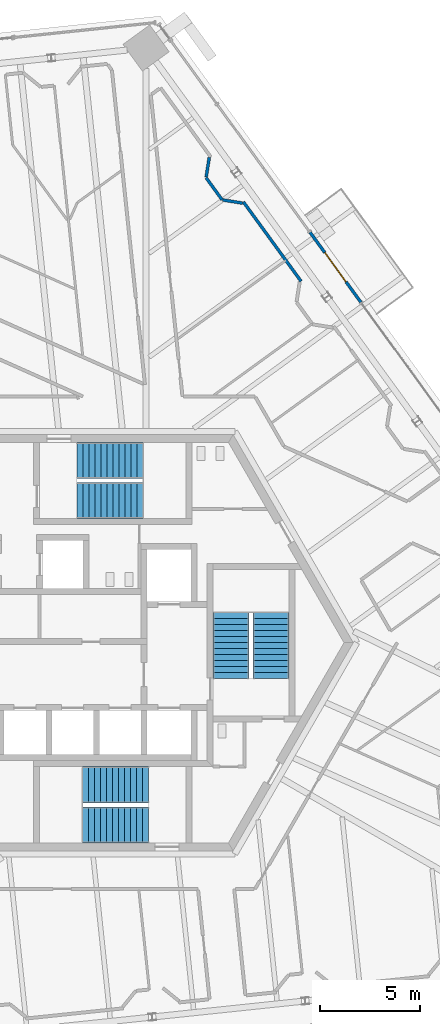
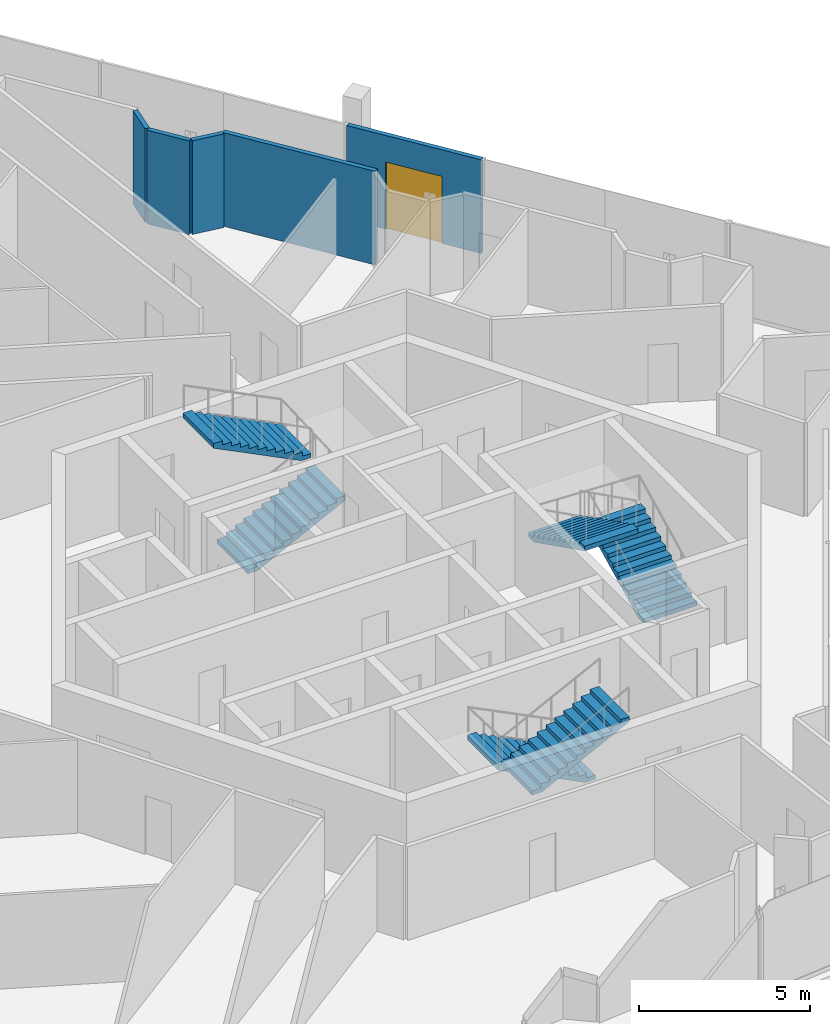
# One storey, part 21 of 26: 6 stair flights, 5 walls, 1 door, 1 opening, 3 elements without a shape of their own.
"""IFC4 building model written with IfcOpenShell, lengths in metres."""

from ifc_helpers import new_model, si_unit, direction, frame, frame_2d, origin, place, context, subcontext, project, spatial, polyline, rectangle, outline, extrude, source, transform, mapped, material, layer, layer_set, type_object, element, fill, aggregate, save


model = new_model("IFC4")

# Units and contexts
model_context = context("Model", 3, precision=1e-05, world=origin(), true_north=direction((0.0, 1.0)))
body_context = subcontext(model_context, "Body", "Model", "MODEL_VIEW")
ifc_project = project(units=[si_unit("LENGTHUNIT", "METRE"), si_unit("AREAUNIT", "SQUARE_METRE"), si_unit("VOLUMEUNIT", "CUBIC_METRE"), si_unit("PLANEANGLEUNIT", "RADIAN"), si_unit("MASSUNIT", "GRAM", prefix="KILO")], contexts=[model_context])

# Site, building, storey
site_placement = place(None, origin())
site = spatial("IfcSite", under=ifc_project, at=site_placement, CompositionType="ELEMENT")
building_placement = place(site_placement, origin())
building = spatial("IfcBuilding", under=site, at=building_placement, Name="Triune Harvest Tower", CompositionType="ELEMENT")
storey_placement = place(building_placement, frame((0.0, 0.0, 252.10009765625)))
storey = spatial("IfcBuildingStorey", under=building, at=storey_placement, Name="L66", CompositionType="ELEMENT", Elevation=252.10009765625)

# Wall
ifc_material_1 = material(Name="Gypsum board on steel studs", Category="steel")
ifc_layer_1 = layer(ifc_material_1, 0.14990234375)
ifc_layer_set_1 = layer_set([ifc_layer_1], Name="Gypsum board on steel studs")
wall_type_1 = type_object("IfcWallType", Name="Fire Partition 150 mm", PredefinedType="PARTITIONING", material=ifc_layer_set_1)
wall_1_placement = place(storey_placement, frame((6.51611328125, 22.001220703125, 0.0), z_axis=(0.0, 0.0, 1.0), x_axis=(0.587771620756, -0.80902689809, 0.0)))
element("IfcWall", 1, at=wall_1_placement, inside=storey, type_object=wall_type_1, Name="Partition L66 036", PredefinedType="PARTITIONING", context=body_context, shape_type="SweptSolid", body=[
    extrude(rectangle(XDim=4.899169921875, YDim=0.14990234375, at=frame_2d((2.44970703125, 0.0))), origin(), (0.0, 0.0, 1.0), 3.349853515625),
])

# Wall, opening, door
ifc_material_2 = material(Name="Aluminium bronze anodised", Category="aluminium")
ifc_layer_2 = layer(ifc_material_2, 0.14990234375)
ifc_layer_set_2 = layer_set([ifc_layer_2], Name="Aluminium bronze anodised")
wall_type_2 = type_object("IfcWallType", Name="WW-2 balcony window wall", PredefinedType="ELEMENTEDWALL", material=ifc_layer_set_2)
shared_shape_1 = source(origin(), body_context, "Body", "SweptSolid", [
    extrude(rectangle(XDim=4.31640625, YDim=0.14990234375, at=frame_2d((2.158203125, 0.0))), origin(), (0.0, 0.0, 1.0), 3.349853515625),
])
wall_2_placement = place(storey_placement, frame((9.84033203125, 20.48779296875, 0.0), z_axis=(0.0, 0.0, 1.0), x_axis=(0.587794959831, -0.809009941346, 0.0)))
wall_2 = element("IfcWall", 2, at=wall_2_placement, inside=storey, type_object=wall_type_2, Name="WW-2 B6-F1 L66.8", PredefinedType="ELEMENTEDWALL", context=body_context, shape_type="MappedRepresentation", body=[
    mapped(shared_shape_1, transform((0.0, 0.0, 0.0), scale=1.0)),
])
opening_placement = place(wall_2_placement, frame((1.25830078125, 0.0, 0.0)))
opening = element("IfcOpeningElement", 3, at=opening_placement, cuts=wall_2, Name="Opening L66-E01", PredefinedType="OPENING", context=body_context, shape_type="SweptSolid", body=[
    extrude(rectangle(XDim=1.800048828125, YDim=2.39990234375, at=frame_2d((0.89990234375, 1.199951171875))), frame((0.0, 0.0849609375, 0.0), z_axis=(0.0, -1.0, 0.0), x_axis=(1.0, 0.0, 0.0)), (0.0, 0.0, 1.0), 0.169921875),
])
ifc_material_3 = material(Name="Glass", Category="glass")
door_type = type_object("IfcDoorType", Name="DB-1 balcony door 1800 x 2400", OperationType="DOUBLE_DOOR_SINGLE_SWING", PredefinedType="DOOR", material=ifc_material_3)
door_placement = place(opening_placement, origin())
door = element("IfcDoor", 4, at=door_placement, inside=storey, type_object=door_type, Name="Door L66-E01", OperationType="DOUBLE_DOOR_SINGLE_SWING", OverallHeight=2.39990234375, OverallWidth=1.800048828125, PredefinedType="DOOR", context=body_context, shape_type="SweptSolid", body=[
    extrude(rectangle(XDim=1.800048828125, YDim=2.39990234375, at=frame_2d((0.89990234375, 1.199951171875))), frame((0.0, 0.02490234375, 0.0), z_axis=(0.0, -1.0, 0.0), x_axis=(1.0, 0.0, 0.0)), (0.0, 0.0, 1.0), 0.050048828125),
])
fill(opening, door)

# Walls
shared_shape_2 = source(origin(), body_context, "Body", "SweptSolid", [
    extrude(rectangle(XDim=0.9990234375, YDim=0.14990234375, at=frame_2d((0.49951171875, 0.0))), origin(), (0.0, 0.0, 1.0), 3.349853515625),
])
wall_3_placement = place(storey_placement, frame((4.656494140625, 23.238525390625, 0.0), z_axis=(0.0, 0.0, 1.0), x_axis=(0.156389194989, 0.987695509603, 0.0)))
element("IfcWall", 5, at=wall_3_placement, inside=storey, type_object=wall_type_1, Name="Partition L66 143", PredefinedType="PARTITIONING", context=body_context, shape_type="MappedRepresentation", body=[
    mapped(shared_shape_2, transform((0.0, 0.0, 0.0), scale=1.0)),
])
shared_shape_3 = source(origin(), body_context, "Body", "SweptSolid", [
    extrude(rectangle(XDim=0.998779296875, YDim=0.14990234375, at=frame_2d((0.49951171875, 0.0))), origin(), (0.0, 0.0, 1.0), 3.349853515625),
])
wall_4_placement = place(storey_placement, frame((5.484619140625, 22.0986328125, 0.0), z_axis=(0.0, 0.0, 1.0), x_axis=(0.987689531031, -0.15642694874, 0.0)))
element("IfcWall", 6, at=wall_4_placement, inside=storey, type_object=wall_type_1, Name="Partition L66 065", PredefinedType="PARTITIONING", context=body_context, shape_type="MappedRepresentation", body=[
    mapped(shared_shape_3, transform((0.0, 0.0, 0.0), scale=1.0)),
])
shared_shape_4 = source(origin(), body_context, "Body", "SweptSolid", [
    extrude(rectangle(XDim=1.36669921875, YDim=0.14990234375, at=frame_2d((0.683349609375, 0.0))), origin(), (0.0, 0.0, 1.0), 3.349853515625),
])
wall_5_placement = place(storey_placement, frame((4.652099609375, 23.20947265625, 0.0), z_axis=(0.0, 0.0, 1.0), x_axis=(0.587725491082, -0.809060410064, 0.0)))
element("IfcWall", 7, at=wall_5_placement, inside=storey, type_object=wall_type_1, Name="Partition L66 031", PredefinedType="PARTITIONING", context=body_context, shape_type="MappedRepresentation", body=[
    mapped(shared_shape_4, transform((0.0, 0.0, 0.0), scale=1.0)),
])

# Stair, stair flights
ifc_material_4 = material(Name="Concrete 40 MPa", Category="concrete")
stair_type = type_object("IfcStairType", Name="Exit stair 1800 half turn", PredefinedType="HALF_TURN_STAIR", material=ifc_material_4)
stair_1_placement = place(storey_placement, origin())
stair_1 = element("IfcStair", 8, at=stair_1_placement, inside=storey, type_object=stair_type, Name="Exit stair north", PredefinedType="HALF_TURN_STAIR")
ifc_material_5 = material(Name="Concrete 40 MPa", Category="concrete")
stair_flight_type = type_object("IfcStairFlightType", Name="Stair flight 1800", PredefinedType="STRAIGHT", material=ifc_material_5)
shared_shape_5 = source(origin(), body_context, "Body", "SweptSolid", [
    extrude(outline(polyline([(0.0, 0.0), (0.0, 0.14990234375), (0.300048828125, 0.14990234375), (0.300048828125, 0.300048828125), (0.60009765625, 0.300048828125), (0.60009765625, 0.449951171875), (0.89990234375, 0.449951171875), (0.89990234375, 0.60009765625), (1.199951171875, 0.60009765625), (1.199951171875, 0.75), (1.5, 0.75), (1.5, 0.89990234375), (1.800048828125, 0.89990234375), (1.800048828125, 1.050048828125), (2.10009765625, 1.050048828125), (2.10009765625, 1.199951171875), (2.39990234375, 1.199951171875), (2.39990234375, 1.35009765625), (2.699951171875, 1.35009765625), (2.699951171875, 1.5), (3.0, 1.5), (3.0, 1.64990234375), (3.300048828125, 1.64990234375), (3.300048828125, 1.800048828125), (3.300048828125, 1.482421875), (0.335205078125, 0.0), (0.0, 0.0)])), frame((0.0, 0.89990234375, 0.0), z_axis=(0.0, -1.0, 0.0), x_axis=(1.0, 0.0, 0.0)), (0.0, 0.0, 1.0), 1.800048828125),
])
stair_flight_1_placement = place(storey_placement, frame((-1.7900390625, 7.090087890625, 0.0), z_axis=(0.0, 0.0, 1.0), x_axis=(1.0, 0.0, 0.0)))
stair_flight_1 = element("IfcStairFlight", 9, at=stair_flight_1_placement, type_object=stair_flight_type, Name="ST-1 flight 1", NumberOfRisers=12, NumberOfTreads=11, PredefinedType="STRAIGHT", RiserHeight=0.15, TreadLength=0.3, context=body_context, shape_type="MappedRepresentation", body=[
    mapped(shared_shape_5, transform((0.0, 0.0, 0.0), scale=1.0)),
])
stair_flight_2_placement = place(storey_placement, frame((1.510009765625, 9.090087890625, 1.7998046875), z_axis=(0.0, 0.0, 1.0), x_axis=(-1.0, 0.0, 0.0)))
stair_flight_2 = element("IfcStairFlight", 10, at=stair_flight_2_placement, type_object=stair_flight_type, Name="ST-1 flight 2", NumberOfRisers=12, NumberOfTreads=11, PredefinedType="STRAIGHT", RiserHeight=0.15, TreadLength=0.3, context=body_context, shape_type="MappedRepresentation", body=[
    mapped(shared_shape_5, transform((0.0, 0.0, 0.0), scale=1.0)),
])
aggregate(stair_1, [stair_flight_1, stair_flight_2])

stair_2_placement = place(storey_placement, origin())
stair_2 = element("IfcStair", 11, at=stair_2_placement, inside=storey, type_object=stair_type, Name="Exit stair south", PredefinedType="HALF_TURN_STAIR")
stair_flight_3_placement = place(storey_placement, frame((1.7900390625, -7.090087890625, 0.0), z_axis=(0.0, 0.0, 1.0), x_axis=(-1.0, 0.0, 0.0)))
stair_flight_3 = element("IfcStairFlight", 12, at=stair_flight_3_placement, type_object=stair_flight_type, Name="ST-2 flight 1", NumberOfRisers=12, NumberOfTreads=11, PredefinedType="STRAIGHT", RiserHeight=0.15, TreadLength=0.3, context=body_context, shape_type="MappedRepresentation", body=[
    mapped(shared_shape_5, transform((0.0, 0.0, 0.0), scale=1.0)),
])
stair_flight_4_placement = place(storey_placement, frame((-1.510009765625, -9.090087890625, 1.7998046875), z_axis=(0.0, 0.0, 1.0), x_axis=(1.0, 0.0, 0.0)))
stair_flight_4 = element("IfcStairFlight", 13, at=stair_flight_4_placement, type_object=stair_flight_type, Name="ST-2 flight 2", NumberOfRisers=12, NumberOfTreads=11, PredefinedType="STRAIGHT", RiserHeight=0.15, TreadLength=0.3, context=body_context, shape_type="MappedRepresentation", body=[
    mapped(shared_shape_5, transform((0.0, 0.0, 0.0), scale=1.0)),
])
aggregate(stair_2, [stair_flight_3, stair_flight_4])

stair_3_placement = place(storey_placement, origin())
stair_3 = element("IfcStair", 14, at=stair_3_placement, inside=storey, type_object=stair_type, Name="Exit stair east", PredefinedType="HALF_TURN_STAIR")
stair_flight_5_placement = place(storey_placement, frame((7.89990234375, -1.7900390625, 0.0), z_axis=(0.0, 0.0, 1.0), x_axis=(0.0, 1.0, 0.0)))
stair_flight_5 = element("IfcStairFlight", 15, at=stair_flight_5_placement, type_object=stair_flight_type, Name="ST-3 flight 1", NumberOfRisers=12, NumberOfTreads=11, PredefinedType="STRAIGHT", RiserHeight=0.15, TreadLength=0.3, context=body_context, shape_type="MappedRepresentation", body=[
    mapped(shared_shape_5, transform((0.0, 0.0, 0.0), scale=1.0)),
])
stair_flight_6_placement = place(storey_placement, frame((5.89990234375, 1.510009765625, 1.7998046875), z_axis=(0.0, 0.0, 1.0), x_axis=(0.0, -1.0, 0.0)))
stair_flight_6 = element("IfcStairFlight", 16, at=stair_flight_6_placement, type_object=stair_flight_type, Name="ST-3 flight 2", NumberOfRisers=12, NumberOfTreads=11, PredefinedType="STRAIGHT", RiserHeight=0.15, TreadLength=0.3, context=body_context, shape_type="MappedRepresentation", body=[
    mapped(shared_shape_5, transform((0.0, 0.0, 0.0), scale=1.0)),
])
aggregate(stair_3, [stair_flight_5, stair_flight_6])

save(model, "model.ifc")
